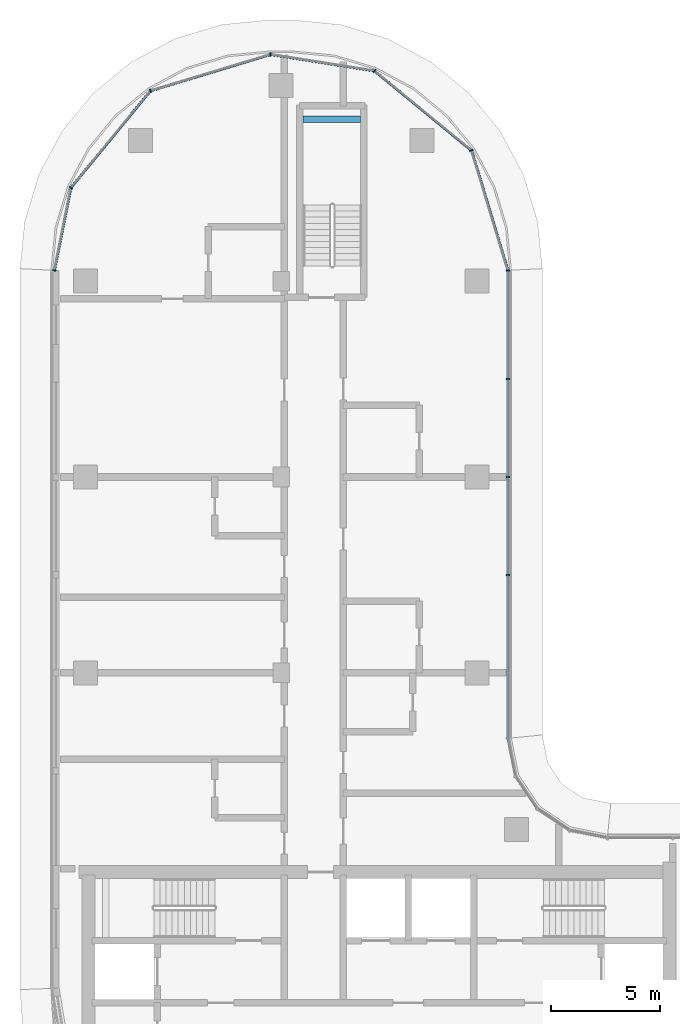
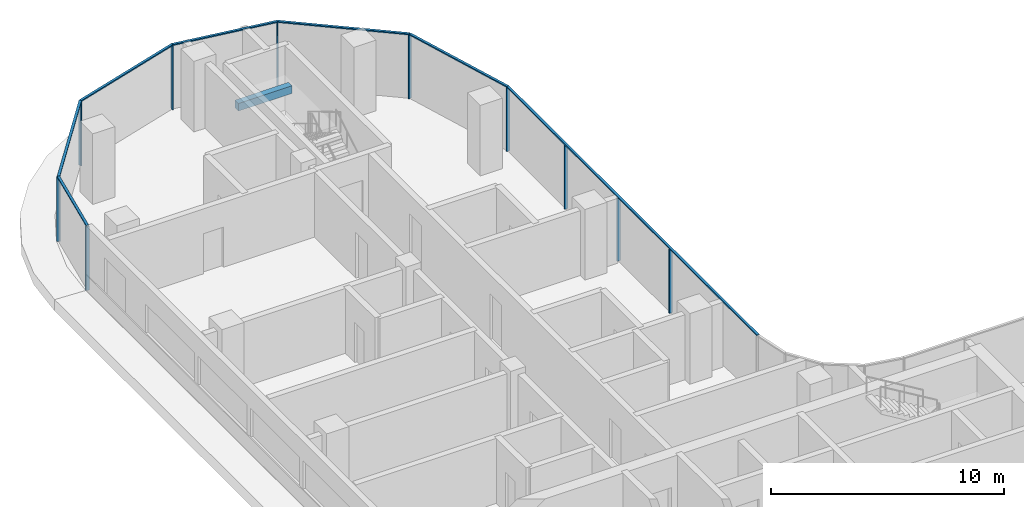
# One storey, part 6 of 24: 17 members, 1 beam, 2 elements without a shape of their own.
"""IFC4 building model written with IfcOpenShell, lengths in metres."""

from ifc_helpers import new_model, si_unit, direction, frame, origin, origin_2d, place, context, subcontext, project, spatial, rectangle, extrude, material, material_profile, profile_set, type_object, element, aggregate, save


model = new_model("IFC4")

# Units and contexts
model_context = context("Model", 3, precision=1e-05, world=origin(), true_north=direction((0.0, 1.0)))
body_context = subcontext(model_context, "Body", "Model", "MODEL_VIEW")
ifc_project = project(units=[si_unit("LENGTHUNIT", "METRE"), si_unit("AREAUNIT", "SQUARE_METRE"), si_unit("VOLUMEUNIT", "CUBIC_METRE"), si_unit("PLANEANGLEUNIT", "RADIAN"), si_unit("MASSUNIT", "GRAM", prefix="KILO")], contexts=[model_context])

# Site, building, storey
site_placement = place(None, origin())
site = spatial("IfcSite", under=ifc_project, at=site_placement, CompositionType="ELEMENT")
building_placement = place(site_placement, origin())
building = spatial("IfcBuilding", under=site, at=building_placement, Name="Ogive Portal Towers", CompositionType="ELEMENT")
storey_placement = place(building_placement, frame((0.0, 0.0, 142.199951171875)))
storey = spatial("IfcBuildingStorey", under=building, at=storey_placement, Name="L34", CompositionType="ELEMENT", Elevation=142.199951171875)

# Beam
ifc_material_1 = material(Name="Concrete C40/50", Category="concrete")
ifc_material_profile_1 = material_profile(ifc_material_1, rectangle(XDim=0.300048828125, YDim=0.39990234375, at=origin_2d()), Name="RC 300x400")
ifc_profile_set_1 = profile_set([ifc_material_profile_1], Name="Concrete C40/50")
beam_type = type_object("IfcBeamType", Name="BEAM RC 300x400", PredefinedType="BEAM", material=ifc_profile_set_1)
beam_placement = place(storey_placement, frame((41.5, 73.949951171875, 1.449951171875), z_axis=(1.0, 0.0, 0.0), x_axis=(0.0, 1.0, 0.0)))
element("IfcBeam", 1, at=beam_placement, inside=storey, type_object=beam_type, Name="Landing beam L34", PredefinedType="BEAM", context=body_context, shape_type="SweptSolid", body=[
    extrude(rectangle(XDim=0.300048828125, YDim=0.39990234375, at=origin_2d()), origin(), (0.0, 0.0, 1.0), 2.64990234375),
])

# Curtain wall, members
ifc_material_2 = material(Name="Glass, clear low-iron insulated glazing", Category="glass")
curtain_wall_type = type_object("IfcCurtainWallType", Name="CW FRONT RIBBON 4500", PredefinedType="NOTDEFINED", material=ifc_material_2)
curtain_wall_1_placement = place(storey_placement, origin())
curtain_wall_1 = element("IfcCurtainWall", 2, at=curtain_wall_1_placement, inside=storey, type_object=curtain_wall_type, Name="A:L34:f17:cw0", PredefinedType="NOTDEFINED")
ifc_material_3 = material(Name="Aluminium 6063 anodised", Category="aluminium")
ifc_material_profile_2 = material_profile(ifc_material_3, rectangle(XDim=0.159912109375, YDim=0.06005859375, at=origin_2d()), Name="AL 60x160")
ifc_profile_set_2 = profile_set([ifc_material_profile_2], Name="Aluminium 6063 anodised")
member_type_1 = type_object("IfcMemberType", Name="CW MULLION 60x160", PredefinedType="MULLION", material=ifc_profile_set_2)
member_1_placement = place(storey_placement, frame((50.919921875, 53.0, 0.0), z_axis=(0.0, 0.0, 1.0), x_axis=(-1.0, 0.0, 0.0)))
member_1 = element("IfcMember", 3, at=member_1_placement, type_object=member_type_1, Name="mullion", PredefinedType="MULLION", context=body_context, shape_type="SweptSolid", body=[
    extrude(rectangle(XDim=0.159912109375, YDim=0.06005859375, at=origin_2d()), origin(), (0.0, 0.0, 1.0), 3.340087890625),
])
member_2_placement = place(storey_placement, frame((50.919921875, 57.5, 0.0), z_axis=(0.0, 0.0, 1.0), x_axis=(-1.0, 0.0, 0.0)))
member_2 = element("IfcMember", 4, at=member_2_placement, type_object=member_type_1, Name="mullion", PredefinedType="MULLION", context=body_context, shape_type="SweptSolid", body=[
    extrude(rectangle(XDim=0.159912109375, YDim=0.06005859375, at=origin_2d()), origin(), (0.0, 0.0, 1.0), 3.340087890625),
])
member_3_placement = place(storey_placement, frame((50.919921875, 62.0, 0.0), z_axis=(0.0, 0.0, 1.0), x_axis=(-1.0, 0.0, 0.0)))
member_3 = element("IfcMember", 5, at=member_3_placement, type_object=member_type_1, Name="mullion", PredefinedType="MULLION", context=body_context, shape_type="SweptSolid", body=[
    extrude(rectangle(XDim=0.159912109375, YDim=0.06005859375, at=origin_2d()), origin(), (0.0, 0.0, 1.0), 3.340087890625),
])
member_4_placement = place(storey_placement, frame((50.919921875, 66.988037109375, 0.0), z_axis=(0.0, 0.0, 1.0), x_axis=(-1.0, 0.0, 0.0)))
member_4 = element("IfcMember", 6, at=member_4_placement, type_object=member_type_1, Name="mullion", PredefinedType="MULLION", context=body_context, shape_type="SweptSolid", body=[
    extrude(rectangle(XDim=0.159912109375, YDim=0.06005859375, at=origin_2d()), origin(), (0.0, 0.0, 1.0), 3.340087890625),
])

curtain_wall_2_placement = place(storey_placement, origin())
curtain_wall_2 = element("IfcCurtainWall", 7, at=curtain_wall_2_placement, inside=storey, type_object=curtain_wall_type, Name="A:L34:f18:cwa", PredefinedType="NOTDEFINED")
member_5_placement = place(storey_placement, frame((49.2451171875, 72.50927734375, 0.0), z_axis=(0.0, 0.0, 1.0), x_axis=(-0.956940335732, -0.290284677254, 0.0)))
member_5 = element("IfcMember", 8, at=member_5_placement, type_object=member_type_1, Name="mullion", PredefinedType="MULLION", context=body_context, shape_type="SweptSolid", body=[
    extrude(rectangle(XDim=0.159912109375, YDim=0.06005859375, at=origin_2d()), origin(), (0.0, 0.0, 1.0), 3.340087890625),
])
member_6_placement = place(storey_placement, frame((44.79296875, 76.1630859375, 0.0), z_axis=(0.0, 0.0, 1.0), x_axis=(-0.634393284164, -0.773010453363, 0.0)))
member_6 = element("IfcMember", 9, at=member_6_placement, type_object=member_type_1, Name="mullion", PredefinedType="MULLION", context=body_context, shape_type="SweptSolid", body=[
    extrude(rectangle(XDim=0.159912109375, YDim=0.06005859375, at=origin_2d()), origin(), (0.0, 0.0, 1.0), 3.340087890625),
])
member_7_placement = place(storey_placement, frame((40.005615234375, 76.918212890625, 0.0), z_axis=(0.0, 0.0, 1.0), x_axis=(-0.155777466355, -0.987792174992, 0.0)))
member_7 = element("IfcMember", 10, at=member_7_placement, type_object=member_type_1, Name="mullion", PredefinedType="MULLION", context=body_context, shape_type="SweptSolid", body=[
    extrude(rectangle(XDim=0.159912109375, YDim=0.06005859375, at=origin_2d()), origin(), (0.0, 0.0, 1.0), 3.340087890625),
])
member_8_placement = place(storey_placement, frame((34.49072265625, 75.2451171875, 0.0), z_axis=(0.0, 0.0, 1.0), x_axis=(0.290284677254, -0.956940335732, 0.0)))
member_8 = element("IfcMember", 11, at=member_8_placement, type_object=member_type_1, Name="mullion", PredefinedType="MULLION", context=body_context, shape_type="SweptSolid", body=[
    extrude(rectangle(XDim=0.159912109375, YDim=0.06005859375, at=origin_2d()), origin(), (0.0, 0.0, 1.0), 3.340087890625),
])
member_9_placement = place(storey_placement, frame((30.835693359375, 70.79150390625, 0.0), z_axis=(0.0, 0.0, 1.0), x_axis=(0.773010453363, -0.634393284164, 0.0)))
member_9 = element("IfcMember", 12, at=member_9_placement, type_object=member_type_1, Name="mullion", PredefinedType="MULLION", context=body_context, shape_type="SweptSolid", body=[
    extrude(rectangle(XDim=0.159912109375, YDim=0.06005859375, at=origin_2d()), origin(), (0.0, 0.0, 1.0), 3.340087890625),
])
member_10_placement = place(storey_placement, frame((30.080078125, 66.9921875, 0.0), z_axis=(0.0, 0.0, 1.0), x_axis=(0.980785280403, -0.195090322016, 0.0)))
member_10 = element("IfcMember", 13, at=member_10_placement, type_object=member_type_1, Name="mullion", PredefinedType="MULLION", context=body_context, shape_type="SweptSolid", body=[
    extrude(rectangle(XDim=0.159912109375, YDim=0.06005859375, at=origin_2d()), origin(), (0.0, 0.0, 1.0), 3.340087890625),
])

# Member
ifc_material_profile_3 = material_profile(ifc_material_3, rectangle(XDim=0.1201171875, YDim=0.06005859375, at=origin_2d()), Name="AL 120x60")
ifc_profile_set_3 = profile_set([ifc_material_profile_3], Name="Aluminium 6063 anodised")
member_type_2 = type_object("IfcMemberType", Name="CW TRANSOM 60x120", PredefinedType="USERDEFINED", material=ifc_profile_set_3)
member_11_placement = place(storey_placement, frame((50.919921875, 45.4921875, 3.3701171875), z_axis=(0.0, 1.0, 0.0), x_axis=(-1.0, 0.0, 0.0)))
member_11 = element("IfcMember", 14, at=member_11_placement, type_object=member_type_2, Name="transom", ObjectType="TRANSOM", PredefinedType="USERDEFINED", context=body_context, shape_type="SweptSolid", body=[
    extrude(rectangle(XDim=0.1201171875, YDim=0.06005859375, at=origin_2d()), origin(), (0.0, 0.0, 1.0), 21.495849609375),
])

aggregate(curtain_wall_1, [member_11, member_1, member_2, member_3, member_4])

member_12_placement = place(storey_placement, frame((50.919921875, 66.988037109375, 3.3701171875), z_axis=(-0.290277499028, 0.956942513194, 0.0), x_axis=(-0.956942513194, -0.290277499028, 0.0)))
member_12 = element("IfcMember", 15, at=member_12_placement, type_object=member_type_2, Name="transom", ObjectType="TRANSOM", PredefinedType="USERDEFINED", context=body_context, shape_type="SweptSolid", body=[
    extrude(rectangle(XDim=0.1201171875, YDim=0.06005859375, at=origin_2d()), origin(), (0.0, 0.0, 1.0), 5.769775390625),
])

member_13_placement = place(storey_placement, frame((49.2451171875, 72.50927734375, 3.3701171875), z_axis=(-0.773008341981, 0.634395856881, 0.0), x_axis=(-0.634395856881, -0.773008341981, 0.0)))
member_13 = element("IfcMember", 16, at=member_13_placement, type_object=member_type_2, Name="transom", ObjectType="TRANSOM", PredefinedType="USERDEFINED", context=body_context, shape_type="SweptSolid", body=[
    extrude(rectangle(XDim=0.1201171875, YDim=0.06005859375, at=origin_2d()), origin(), (0.0, 0.0, 1.0), 5.759521484375),
])

member_14_placement = place(storey_placement, frame((44.79296875, 76.1630859375, 3.3701171875), z_axis=(-0.987787459497, 0.155807364589, 0.0), x_axis=(-0.155807364589, -0.987787459497, 0.0)))
member_14 = element("IfcMember", 17, at=member_14_placement, type_object=member_type_2, Name="transom", ObjectType="TRANSOM", PredefinedType="USERDEFINED", context=body_context, shape_type="SweptSolid", body=[
    extrude(rectangle(XDim=0.1201171875, YDim=0.06005859375, at=origin_2d()), origin(), (0.0, 0.0, 1.0), 4.846435546875),
])

member_15_placement = place(storey_placement, frame((40.005615234375, 76.918212890625, 3.3701171875), z_axis=(-0.956932077168, -0.290311900697, 0.0), x_axis=(0.290311900697, -0.956932077168, 0.0)))
member_15 = element("IfcMember", 18, at=member_15_placement, type_object=member_type_2, Name="transom", ObjectType="TRANSOM", PredefinedType="USERDEFINED", context=body_context, shape_type="SweptSolid", body=[
    extrude(rectangle(XDim=0.1201171875, YDim=0.06005859375, at=origin_2d()), origin(), (0.0, 0.0, 1.0), 5.76318359375),
])

member_16_placement = place(storey_placement, frame((34.49072265625, 75.2451171875, 3.3701171875), z_axis=(-0.63439777858, -0.773006764869, 0.0), x_axis=(0.773006764869, -0.63439777858, 0.0)))
member_16 = element("IfcMember", 19, at=member_16_placement, type_object=member_type_2, Name="transom", ObjectType="TRANSOM", PredefinedType="USERDEFINED", context=body_context, shape_type="SweptSolid", body=[
    extrude(rectangle(XDim=0.1201171875, YDim=0.06005859375, at=origin_2d()), origin(), (0.0, 0.0, 1.0), 5.761474609375),
])

member_17_placement = place(storey_placement, frame((30.835693359375, 70.79150390625, 3.3701171875), z_axis=(-0.195061569373, -0.980790999221, 0.0), x_axis=(0.980790999221, -0.195061569373, 0.0)))
member_17 = element("IfcMember", 20, at=member_17_placement, type_object=member_type_2, Name="transom", ObjectType="TRANSOM", PredefinedType="USERDEFINED", context=body_context, shape_type="SweptSolid", body=[
    extrude(rectangle(XDim=0.1201171875, YDim=0.06005859375, at=origin_2d()), origin(), (0.0, 0.0, 1.0), 3.873779296875),
])

aggregate(curtain_wall_2, [member_12, member_13, member_14, member_15, member_16, member_17, member_5, member_6, member_7, member_8, member_9, member_10])

save(model, "model.ifc")
